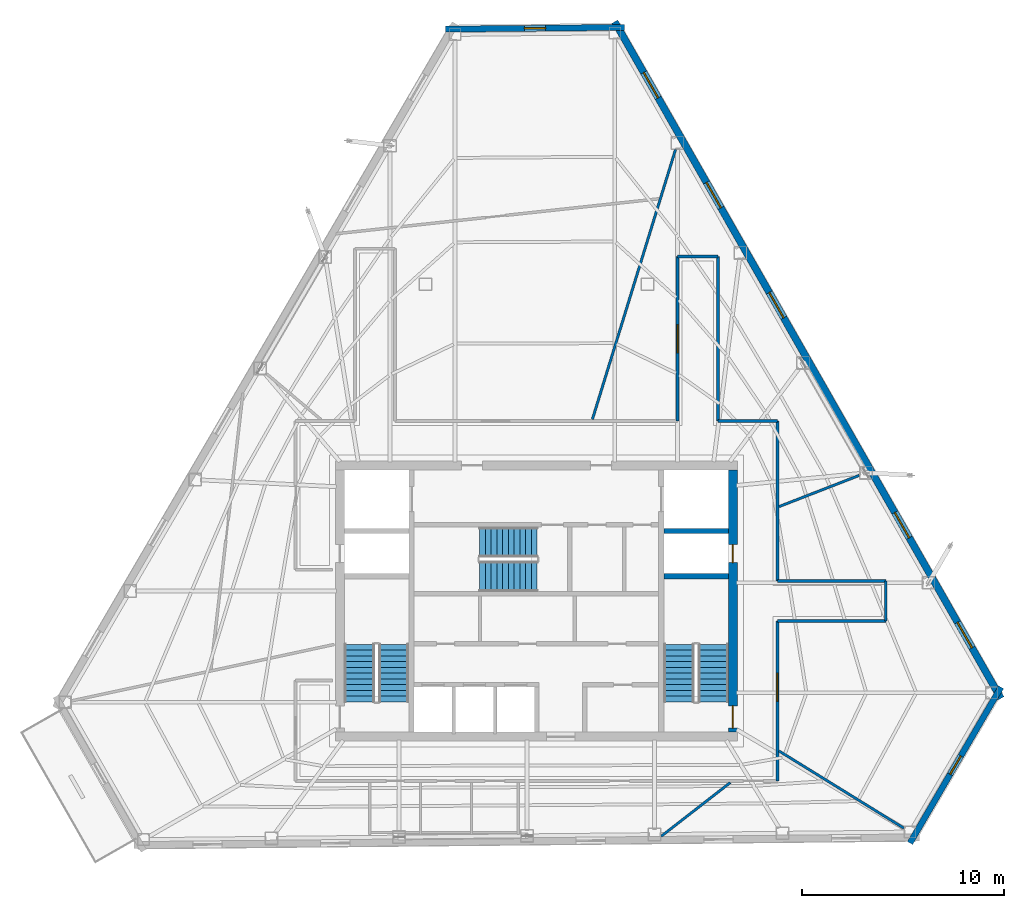
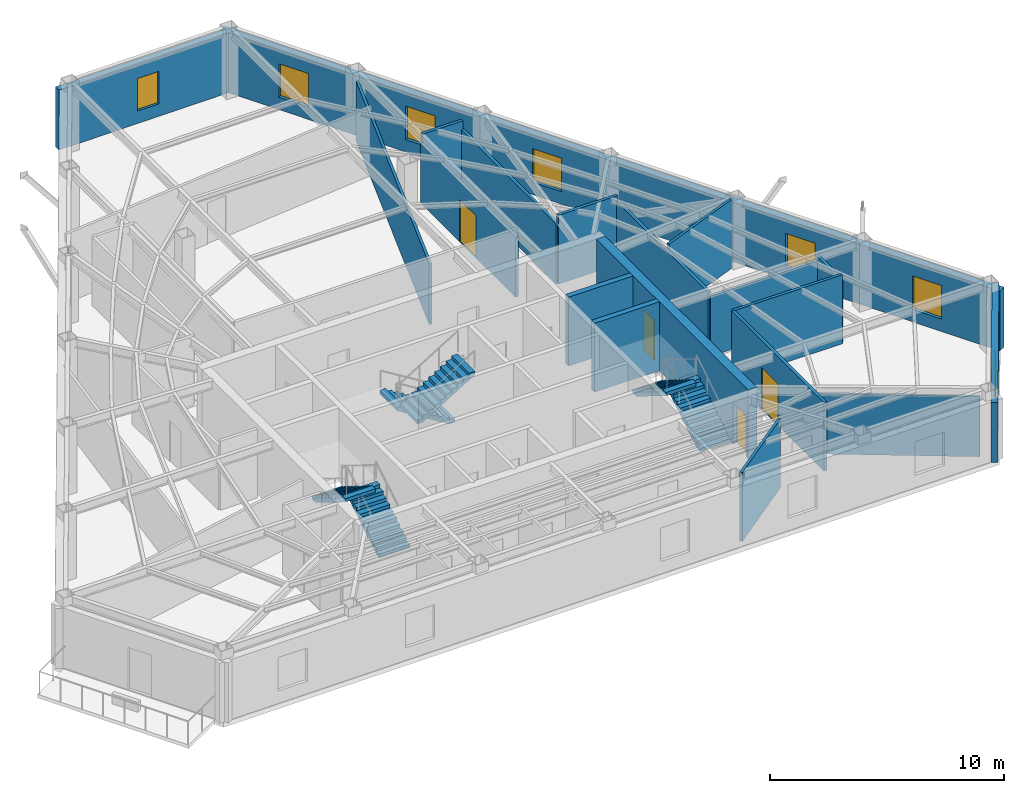
# One storey, part 9 of 11: 19 walls, 7 windows, 6 stair flights, 4 doors, 11 openings, 3 elements without a shape of their own.
"""IFC4 building model written with IfcOpenShell, lengths in metres."""

from ifc_helpers import new_model, si_unit, direction, frame, frame_2d, origin, place, context, subcontext, project, spatial, polyline, rectangle, outline, extrude, material, layer, layer_set, type_object, element, fill, aggregate, save


model = new_model("IFC4")

# Units and contexts
model_context = context("Model", 3, precision=1e-05, world=origin(), true_north=direction((0.0, 1.0)))
body_context = subcontext(model_context, "Body", "Model", "MODEL_VIEW")
ifc_project = project(units=[si_unit("LENGTHUNIT", "METRE"), si_unit("AREAUNIT", "SQUARE_METRE"), si_unit("VOLUMEUNIT", "CUBIC_METRE"), si_unit("PLANEANGLEUNIT", "RADIAN"), si_unit("MASSUNIT", "GRAM", prefix="KILO")], contexts=[model_context])

# Site, building, storey
site_placement = place(None, origin())
site = spatial("IfcSite", under=ifc_project, at=site_placement, CompositionType="ELEMENT")
building_placement = place(site_placement, origin())
building = spatial("IfcBuilding", under=site, at=building_placement, Name="Kavelnor Concourse Tower", CompositionType="ELEMENT")
storey_placement = place(building_placement, frame((0.0, 0.0, 218.89990234375)))
storey = spatial("IfcBuildingStorey", under=building, at=storey_placement, Name="L55", CompositionType="ELEMENT", Elevation=218.89990234375)

# Wall, openings, doors
ifc_material_1 = material(Name="Concrete C50/60", Category="concrete")
ifc_layer_1 = layer(ifc_material_1, 0.43994140625, Name="Concrete C50/60")
ifc_layer_set_1 = layer_set([ifc_layer_1], Name="Concrete C50/60")
wall_type_1 = type_object("IfcWallType", Name="WL-CORE-Z3-440", PredefinedType="SOLIDWALL", material=ifc_layer_set_1)
wall_1_placement = place(storey_placement, frame((47.739990234375, 9.60009765625, 0.0), z_axis=(0.0, 0.0, 1.0), x_axis=(0.0, 1.0, 0.0)))
wall_1 = element("IfcWall", 1, at=wall_1_placement, inside=storey, type_object=wall_type_1, Name="L55 Central Core East Shear Wall", PredefinedType="SOLIDWALL", context=body_context, shape_type="SweptSolid", body=[
    extrude(rectangle(XDim=13.0, YDim=0.43994140625, at=frame_2d((6.5, 0.0))), origin(), (0.0, 0.0, 1.0), 3.60009765625),
])
opening_1_placement = place(wall_1_placement, frame((0.199951171875, 0.0, 0.0)))
opening_1 = element("IfcOpeningElement", 2, at=opening_1_placement, cuts=wall_1, Name="Opening FD-110", PredefinedType="OPENING", context=body_context, shape_type="SweptSolid", body=[
    extrude(rectangle(XDim=1.10009765625, YDim=2.14990234375, at=frame_2d((0.550048828125, 1.074951171875))), frame((0.0, 0.22998046875, 0.0), z_axis=(0.0, -1.0, 0.0), x_axis=(1.0, 0.0, 0.0)), (0.0, 0.0, 1.0), 0.4599609375),
])
opening_2_placement = place(wall_1_placement, frame((8.39990234375, 0.0, 0.0)))
opening_2 = element("IfcOpeningElement", 3, at=opening_2_placement, cuts=wall_1, Name="Opening FD-090", PredefinedType="OPENING", context=body_context, shape_type="SweptSolid", body=[
    extrude(rectangle(XDim=0.89990234375, YDim=2.10009765625, at=frame_2d((0.449951171875, 1.050048828125))), frame((0.0, 0.22998046875, 0.0), z_axis=(0.0, -1.0, 0.0), x_axis=(1.0, 0.0, 0.0)), (0.0, 0.0, 1.0), 0.4599609375),
])
ifc_material_2 = material(Name="Steel Grade 350", Category="steel")
door_type_1 = type_object("IfcDoorType", Name="DR-RISER-FIRE-900", OperationType="NOTDEFINED", PredefinedType="DOOR", material=ifc_material_2)
door_1_placement = place(opening_2_placement, origin())
door_1 = element("IfcDoor", 4, at=door_1_placement, inside=storey, type_object=door_type_1, Name="L55 East Riser Access Door", OperationType="SINGLE_SWING_LEFT", OverallHeight=2.10009765625, OverallWidth=0.89990234375, PredefinedType="DOOR", context=body_context, shape_type="SweptSolid", body=[
    extrude(rectangle(XDim=0.89990234375, YDim=2.10009765625, at=frame_2d((0.449951171875, 1.050048828125))), frame((0.0, 0.02490234375, 0.0), z_axis=(0.0, -1.0, 0.0), x_axis=(1.0, 0.0, 0.0)), (0.0, 0.0, 1.0), 0.050048828125),
])
fill(opening_2, door_1)
door_type_2 = type_object("IfcDoorType", Name="DR-STAIR-FIRE-1100", OperationType="NOTDEFINED", PredefinedType="DOOR", material=ifc_material_2)
door_2_placement = place(opening_1_placement, origin())
door_2 = element("IfcDoor", 5, at=door_2_placement, inside=storey, type_object=door_type_2, Name="L55 Stair ST2 Fire Door", OperationType="SINGLE_SWING_RIGHT", OverallHeight=2.14990234375, OverallWidth=1.10009765625, PredefinedType="DOOR", context=body_context, shape_type="SweptSolid", body=[
    extrude(rectangle(XDim=1.10009765625, YDim=2.14990234375, at=frame_2d((0.550048828125, 1.074951171875))), frame((0.0, 0.02490234375, 0.0), z_axis=(0.0, -1.0, 0.0), x_axis=(1.0, 0.0, 0.0)), (0.0, 0.0, 1.0), 0.050048828125),
])
fill(opening_1, door_2)

# Wall, opening, window
ifc_material_3 = material(Name="Buff ironspot clay face brick masonry", Category="masonry")
ifc_layer_2 = layer(ifc_material_3, 0.300048828125, Name="Buff ironspot clay face brick masonry")
ifc_layer_set_2 = layer_set([ifc_layer_2], Name="Buff ironspot clay face brick masonry")
wall_type_2 = type_object("IfcWallType", Name="WL-EXT-BUFF-BRICK-FOLD-300", PredefinedType="STANDARD", material=ifc_layer_set_2)
wall_2_placement = place(storey_placement, frame((33.494873046875, 44.4462890625, 0.0), z_axis=(0.0, 0.0, 1.0), x_axis=(0.999951182853, 0.009880886148, 0.0)))
wall_2 = element("IfcWall", 6, at=wall_2_placement, inside=storey, type_object=wall_type_2, Name="L55 Exterior Brick Facade Wall E0", PredefinedType="STANDARD", context=body_context, shape_type="SweptSolid", body=[
    extrude(rectangle(XDim=8.870361328125, YDim=0.300048828125, at=frame_2d((4.43505859375, 0.0))), origin(), (0.0, 0.0, 1.0), 3.132080078125),
])
opening_3_placement = place(wall_2_placement, frame((3.91015625, 0.0, 0.64990234375)))
opening_3 = element("IfcOpeningElement", 7, at=opening_3_placement, cuts=wall_2, Name="Opening W-06", PredefinedType="OPENING", context=body_context, shape_type="SweptSolid", body=[
    extrude(rectangle(XDim=1.050048828125, YDim=1.699951171875, at=frame_2d((0.52490234375, 0.85009765625))), frame((0.0, 0.16015625, 0.0), z_axis=(0.0, -1.0, 0.0), x_axis=(1.0, 0.0, 0.0)), (0.0, 0.0, 1.0), 0.320068359375),
])
ifc_material_4 = material(Name="Double low-E argon insulated glazing", Category="glass")
window_type_1 = type_object("IfcWindowType", Name="WIN-FOLD-1050", PartitioningType="SINGLE_PANEL", PredefinedType="WINDOW", material=ifc_material_4)
window_1_placement = place(opening_3_placement, origin())
window_1 = element("IfcWindow", 8, at=window_1_placement, inside=storey, type_object=window_type_1, Name="L55 Chamfer-Fold Facet Window C0", OverallHeight=1.699951171875, OverallWidth=1.050048828125, PartitioningType="SINGLE_PANEL", PredefinedType="WINDOW", context=body_context, shape_type="SweptSolid", body=[
    extrude(rectangle(XDim=1.050048828125, YDim=1.699951171875, at=frame_2d((0.52490234375, 0.85009765625))), frame((0.0, 0.030029296875, 0.0), z_axis=(0.0, -1.0, 0.0), x_axis=(1.0, 0.0, 0.0)), (0.0, 0.0, 1.0), 0.06005859375),
])
fill(opening_3, window_1)

wall_3_placement = place(storey_placement, frame((61.0263671875, 11.827880859375, 0.0), z_axis=(0.0, 0.0, 1.0), x_axis=(-0.504220681264, -0.863574840176, 0.0)))
wall_3 = element("IfcWall", 9, at=wall_3_placement, inside=storey, type_object=wall_type_2, Name="L55 Exterior Brick Facade Wall E4", PredefinedType="STANDARD", context=body_context, shape_type="SweptSolid", body=[
    extrude(rectangle(XDim=8.942138671875, YDim=0.300048828125, at=frame_2d((4.47119140625, 0.0))), origin(), (0.0, 0.0, 1.0), 3.132080078125),
])
opening_4_placement = place(wall_3_placement, frame((3.946044921875, 0.0, 0.64990234375)))
opening_4 = element("IfcOpeningElement", 10, at=opening_4_placement, cuts=wall_3, Name="Opening W-06", PredefinedType="OPENING", context=body_context, shape_type="SweptSolid", body=[
    extrude(rectangle(XDim=1.050048828125, YDim=1.699951171875, at=frame_2d((0.52490234375, 0.85009765625))), frame((0.0, 0.16015625, 0.0), z_axis=(0.0, -1.0, 0.0), x_axis=(1.0, 0.0, 0.0)), (0.0, 0.0, 1.0), 0.320068359375),
])
window_2_placement = place(opening_4_placement, origin())
window_2 = element("IfcWindow", 11, at=window_2_placement, inside=storey, type_object=window_type_1, Name="L55 Chamfer-Fold Facet Window C2", OverallHeight=1.699951171875, OverallWidth=1.050048828125, PartitioningType="SINGLE_PANEL", PredefinedType="WINDOW", context=body_context, shape_type="SweptSolid", body=[
    extrude(rectangle(XDim=1.050048828125, YDim=1.699951171875, at=frame_2d((0.52490234375, 0.85009765625))), frame((0.0, 0.030029296875, 0.0), z_axis=(0.0, -1.0, 0.0), x_axis=(1.0, 0.0, 0.0)), (0.0, 0.0, 1.0), 0.06005859375),
])
fill(opening_4, window_2)

# Wall, openings, windows
ifc_material_5 = material(Name="Red-ochre clay face brick masonry", Category="masonry")
ifc_layer_3 = layer(ifc_material_5, 0.35009765625, Name="Red-ochre clay face brick masonry")
ifc_layer_set_3 = layer_set([ifc_layer_3], Name="Red-ochre clay face brick masonry")
wall_type_3 = type_object("IfcWallType", Name="WL-EXT-RED-BRICK-PIER-350", PredefinedType="STANDARD", material=ifc_layer_set_3)
wall_4_placement = place(storey_placement, frame((41.881103515625, 44.8115234375, 0.0), z_axis=(0.0, 0.0, 1.0), x_axis=(0.495686807291, -0.868501346618, 0.0)))
wall_4 = element("IfcWall", 12, at=wall_4_placement, inside=storey, type_object=wall_type_3, Name="L55 Exterior Brick Facade Wall E5", PredefinedType="STANDARD", context=body_context, shape_type="SweptSolid", body=[
    extrude(rectangle(XDim=38.618408203125, YDim=0.35009765625, at=frame_2d((19.30908203125, 0.0))), origin(), (0.0, 0.0, 1.0), 3.132080078125),
])
opening_5_placement = place(wall_4_placement, frame((34.27783203125, 0.0, 0.64990234375)))
opening_5 = element("IfcOpeningElement", 13, at=opening_5_placement, cuts=wall_4, Name="Opening W-03", PredefinedType="OPENING", context=body_context, shape_type="SweptSolid", body=[
    extrude(rectangle(XDim=1.449951171875, YDim=1.75, at=frame_2d((0.72509765625, 0.875))), frame((0.0, 0.18505859375, 0.0), z_axis=(0.0, -1.0, 0.0), x_axis=(1.0, 0.0, 0.0)), (0.0, 0.0, 1.0), 0.3701171875),
])
opening_6_placement = place(wall_4_placement, frame((28.00146484375, 0.0, 0.64990234375)))
opening_6 = element("IfcOpeningElement", 14, at=opening_6_placement, cuts=wall_4, Name="Opening W-03", PredefinedType="OPENING", context=body_context, shape_type="SweptSolid", body=[
    extrude(rectangle(XDim=1.449951171875, YDim=1.75, at=frame_2d((0.72509765625, 0.875))), frame((0.0, 0.18505859375, 0.0), z_axis=(0.0, -1.0, 0.0), x_axis=(1.0, 0.0, 0.0)), (0.0, 0.0, 1.0), 0.3701171875),
])
opening_7_placement = place(wall_4_placement, frame((15.4482421875, 0.0, 0.64990234375)))
opening_7 = element("IfcOpeningElement", 15, at=opening_7_placement, cuts=wall_4, Name="Opening W-03", PredefinedType="OPENING", context=body_context, shape_type="SweptSolid", body=[
    extrude(rectangle(XDim=1.449951171875, YDim=1.75, at=frame_2d((0.72509765625, 0.875))), frame((0.0, 0.18505859375, 0.0), z_axis=(0.0, -1.0, 0.0), x_axis=(1.0, 0.0, 0.0)), (0.0, 0.0, 1.0), 0.3701171875),
])
opening_8_placement = place(wall_4_placement, frame((9.171875, 0.0, 0.64990234375)))
opening_8 = element("IfcOpeningElement", 16, at=opening_8_placement, cuts=wall_4, Name="Opening W-03", PredefinedType="OPENING", context=body_context, shape_type="SweptSolid", body=[
    extrude(rectangle(XDim=1.449951171875, YDim=1.75, at=frame_2d((0.72509765625, 0.875))), frame((0.0, 0.18505859375, 0.0), z_axis=(0.0, -1.0, 0.0), x_axis=(1.0, 0.0, 0.0)), (0.0, 0.0, 1.0), 0.3701171875),
])
opening_9_placement = place(wall_4_placement, frame((2.895263671875, 0.0, 0.64990234375)))
opening_9 = element("IfcOpeningElement", 17, at=opening_9_placement, cuts=wall_4, Name="Opening W-03", PredefinedType="OPENING", context=body_context, shape_type="SweptSolid", body=[
    extrude(rectangle(XDim=1.449951171875, YDim=1.75, at=frame_2d((0.72509765625, 0.875))), frame((0.0, 0.18505859375, 0.0), z_axis=(0.0, -1.0, 0.0), x_axis=(1.0, 0.0, 0.0)), (0.0, 0.0, 1.0), 0.3701171875),
])
window_type_2 = type_object("IfcWindowType", Name="WIN-PIER-Z3-1500", PartitioningType="SINGLE_PANEL", PredefinedType="WINDOW", material=ifc_material_4)
window_3_placement = place(opening_5_placement, origin())
window_3 = element("IfcWindow", 18, at=window_3_placement, inside=storey, type_object=window_type_2, Name="L55 Deep-Set Brick Pier Window F2-B0", OverallHeight=1.75, OverallWidth=1.449951171875, PartitioningType="SINGLE_PANEL", PredefinedType="WINDOW", context=body_context, shape_type="SweptSolid", body=[
    extrude(rectangle(XDim=1.449951171875, YDim=1.75, at=frame_2d((0.72509765625, 0.875))), frame((0.0, 0.030029296875, 0.0), z_axis=(0.0, -1.0, 0.0), x_axis=(1.0, 0.0, 0.0)), (0.0, 0.0, 1.0), 0.06005859375),
])
fill(opening_5, window_3)
window_4_placement = place(opening_6_placement, origin())
window_4 = element("IfcWindow", 19, at=window_4_placement, inside=storey, type_object=window_type_2, Name="L55 Deep-Set Brick Pier Window F2-B1", OverallHeight=1.75, OverallWidth=1.449951171875, PartitioningType="SINGLE_PANEL", PredefinedType="WINDOW", context=body_context, shape_type="SweptSolid", body=[
    extrude(rectangle(XDim=1.449951171875, YDim=1.75, at=frame_2d((0.72509765625, 0.875))), frame((0.0, 0.030029296875, 0.0), z_axis=(0.0, -1.0, 0.0), x_axis=(1.0, 0.0, 0.0)), (0.0, 0.0, 1.0), 0.06005859375),
])
fill(opening_6, window_4)
window_5_placement = place(opening_7_placement, origin())
window_5 = element("IfcWindow", 20, at=window_5_placement, inside=storey, type_object=window_type_2, Name="L55 Deep-Set Brick Pier Window F2-B3", OverallHeight=1.75, OverallWidth=1.449951171875, PartitioningType="SINGLE_PANEL", PredefinedType="WINDOW", context=body_context, shape_type="SweptSolid", body=[
    extrude(rectangle(XDim=1.449951171875, YDim=1.75, at=frame_2d((0.72509765625, 0.875))), frame((0.0, 0.030029296875, 0.0), z_axis=(0.0, -1.0, 0.0), x_axis=(1.0, 0.0, 0.0)), (0.0, 0.0, 1.0), 0.06005859375),
])
fill(opening_7, window_5)
window_6_placement = place(opening_8_placement, origin())
window_6 = element("IfcWindow", 21, at=window_6_placement, inside=storey, type_object=window_type_2, Name="L55 Deep-Set Brick Pier Window F2-B4", OverallHeight=1.75, OverallWidth=1.449951171875, PartitioningType="SINGLE_PANEL", PredefinedType="WINDOW", context=body_context, shape_type="SweptSolid", body=[
    extrude(rectangle(XDim=1.449951171875, YDim=1.75, at=frame_2d((0.72509765625, 0.875))), frame((0.0, 0.030029296875, 0.0), z_axis=(0.0, -1.0, 0.0), x_axis=(1.0, 0.0, 0.0)), (0.0, 0.0, 1.0), 0.06005859375),
])
fill(opening_8, window_6)
window_7_placement = place(opening_9_placement, origin())
window_7 = element("IfcWindow", 22, at=window_7_placement, inside=storey, type_object=window_type_2, Name="L55 Deep-Set Brick Pier Window F2-B5", OverallHeight=1.75, OverallWidth=1.449951171875, PartitioningType="SINGLE_PANEL", PredefinedType="WINDOW", context=body_context, shape_type="SweptSolid", body=[
    extrude(rectangle(XDim=1.449951171875, YDim=1.75, at=frame_2d((0.72509765625, 0.875))), frame((0.0, 0.030029296875, 0.0), z_axis=(0.0, -1.0, 0.0), x_axis=(1.0, 0.0, 0.0)), (0.0, 0.0, 1.0), 0.06005859375),
])
fill(opening_9, window_7)

# Wall, opening, door
ifc_material_6 = material(Name="Gypsum plasterboard on light-gauge steel studs", Category="steel")
ifc_layer_4 = layer(ifc_material_6, 0.14501953125, Name="Gypsum plasterboard on light-gauge steel studs")
ifc_layer_set_4 = layer_set([ifc_layer_4], Name="Gypsum plasterboard on light-gauge steel studs")
wall_type_4 = type_object("IfcWallType", Name="WL-INT-CORR-145", PredefinedType="PARTITIONING", material=ifc_layer_set_4)
wall_5_placement = place(storey_placement, frame((45.0, 25.02001953125, 0.0), z_axis=(0.0, 0.0, 1.0), x_axis=(0.0, 1.0, 0.0)))
wall_5 = element("IfcWall", 23, at=wall_5_placement, inside=storey, type_object=wall_type_4, Name="L55 Corridor Wall WL-L55-CR-08", PredefinedType="PARTITIONING", context=body_context, shape_type="SweptSolid", body=[
    extrude(rectangle(XDim=8.153564453125, YDim=0.14501953125, at=frame_2d((4.07666015625, 0.0))), origin(), (0.0, 0.0, 1.0), 3.14111328125),
])
opening_10_placement = place(wall_5_placement, frame((3.376708984375, 0.0, 0.0)))
opening_10 = element("IfcOpeningElement", 24, at=opening_10_placement, cuts=wall_5, Name="Opening SD-140", PredefinedType="OPENING", context=body_context, shape_type="SweptSolid", body=[
    extrude(rectangle(XDim=1.39990234375, YDim=2.199951171875, at=frame_2d((0.699951171875, 1.10009765625))), frame((0.0, 0.08251953125, 0.0), z_axis=(0.0, -1.0, 0.0), x_axis=(1.0, 0.0, 0.0)), (0.0, 0.0, 1.0), 0.1650390625),
])
ifc_material_7 = material(Name="Solid-core hardwood timber", Category="wood")
door_type_3 = type_object("IfcDoorType", Name="DR-SUITE-ENTRY-1400", OperationType="NOTDEFINED", PredefinedType="DOOR", material=ifc_material_7)
door_3_placement = place(opening_10_placement, origin())
door_3 = element("IfcDoor", 25, at=door_3_placement, inside=storey, type_object=door_type_3, Name="L55 Tenant Bookstore Retail Shop 01 Door", OperationType="SINGLE_SWING_LEFT", OverallHeight=2.199951171875, OverallWidth=1.39990234375, PredefinedType="DOOR", context=body_context, shape_type="SweptSolid", body=[
    extrude(rectangle(XDim=1.39990234375, YDim=2.199951171875, at=frame_2d((0.699951171875, 1.10009765625))), frame((0.0, 0.02490234375, 0.0), z_axis=(0.0, -1.0, 0.0), x_axis=(1.0, 0.0, 0.0)), (0.0, 0.0, 1.0), 0.050048828125),
])
fill(opening_10, door_3)

# Walls
wall_6_placement = place(storey_placement, frame((45.0, 33.173583984375, 0.0), z_axis=(0.0, 0.0, 1.0), x_axis=(1.0, 0.0, 0.0)))
element("IfcWall", 26, at=wall_6_placement, inside=storey, type_object=wall_type_4, Name="L55 Corridor Wall WL-L55-CR-09", PredefinedType="PARTITIONING", context=body_context, shape_type="SweptSolid", body=[
    extrude(rectangle(XDim=2.0, YDim=0.14501953125, at=frame_2d((1.0, 0.0))), origin(), (0.0, 0.0, 1.0), 3.60009765625),
])
wall_7_placement = place(storey_placement, frame((47.0, 33.173583984375, 0.0), z_axis=(0.0, 0.0, 1.0), x_axis=(0.0, -1.0, 0.0)))
element("IfcWall", 27, at=wall_7_placement, inside=storey, type_object=wall_type_4, Name="L55 Corridor Wall WL-L55-CR-10", PredefinedType="PARTITIONING", context=body_context, shape_type="SweptSolid", body=[
    extrude(rectangle(XDim=8.153564453125, YDim=0.14501953125, at=frame_2d((4.07666015625, 0.0))), origin(), (0.0, 0.0, 1.0), 3.14111328125),
])
wall_8_placement = place(storey_placement, frame((47.0, 25.02001953125, 0.0), z_axis=(0.0, 0.0, 1.0), x_axis=(1.0, 0.0, 0.0)))
element("IfcWall", 28, at=wall_8_placement, inside=storey, type_object=wall_type_4, Name="L55 Corridor Wall WL-L55-CR-11", PredefinedType="PARTITIONING", context=body_context, shape_type="SweptSolid", body=[
    extrude(rectangle(XDim=2.93994140625, YDim=0.14501953125, at=frame_2d((1.469970703125, 0.0))), origin(), (0.0, 0.0, 1.0), 3.60009765625),
])
wall_9_placement = place(storey_placement, frame((49.93994140625, 25.02001953125, 0.0), z_axis=(0.0, 0.0, 1.0), x_axis=(0.0, -1.0, 0.0)))
element("IfcWall", 29, at=wall_9_placement, inside=storey, type_object=wall_type_4, Name="L55 Corridor Wall WL-L55-CR-12", PredefinedType="PARTITIONING", context=body_context, shape_type="SweptSolid", body=[
    extrude(rectangle(XDim=7.919921875, YDim=0.14501953125, at=frame_2d((3.9599609375, 0.0))), origin(), (0.0, 0.0, 1.0), 3.339111328125),
])
wall_10_placement = place(storey_placement, frame((49.93994140625, 17.10009765625, 0.0), z_axis=(0.0, 0.0, 1.0), x_axis=(1.0, 0.0, 0.0)))
element("IfcWall", 30, at=wall_10_placement, inside=storey, type_object=wall_type_4, Name="L55 Corridor Wall WL-L55-CR-13", PredefinedType="PARTITIONING", context=body_context, shape_type="SweptSolid", body=[
    extrude(rectangle(XDim=5.375244140625, YDim=0.14501953125, at=frame_2d((2.6875, 0.0))), origin(), (0.0, 0.0, 1.0), 3.14111328125),
])
wall_11_placement = place(storey_placement, frame((55.315185546875, 17.10009765625, 0.0), z_axis=(0.0, 0.0, 1.0), x_axis=(0.0, -1.0, 0.0)))
element("IfcWall", 31, at=wall_11_placement, inside=storey, type_object=wall_type_4, Name="L55 Corridor Wall WL-L55-CR-14", PredefinedType="PARTITIONING", context=body_context, shape_type="SweptSolid", body=[
    extrude(rectangle(XDim=2.0, YDim=0.14501953125, at=frame_2d((1.0, 0.0))), origin(), (0.0, 0.0, 1.0), 3.339111328125),
])
wall_12_placement = place(storey_placement, frame((55.315185546875, 15.10009765625, 0.0), z_axis=(0.0, 0.0, 1.0), x_axis=(-1.0, 0.0, 0.0)))
element("IfcWall", 32, at=wall_12_placement, inside=storey, type_object=wall_type_4, Name="L55 Corridor Wall WL-L55-CR-15", PredefinedType="PARTITIONING", context=body_context, shape_type="SweptSolid", body=[
    extrude(rectangle(XDim=5.375244140625, YDim=0.14501953125, at=frame_2d((2.6875, 0.0))), origin(), (0.0, 0.0, 1.0), 3.60009765625),
])

# Wall, opening, door
wall_13_placement = place(storey_placement, frame((49.93994140625, 15.10009765625, 0.0), z_axis=(0.0, 0.0, 1.0), x_axis=(0.0, -1.0, 0.0)))
wall_13 = element("IfcWall", 33, at=wall_13_placement, inside=storey, type_object=wall_type_4, Name="L55 Corridor Wall WL-L55-CR-16", PredefinedType="PARTITIONING", context=body_context, shape_type="SweptSolid", body=[
    extrude(rectangle(XDim=7.920166015625, YDim=0.14501953125, at=frame_2d((3.9599609375, 0.0))), origin(), (0.0, 0.0, 1.0), 3.60009765625),
])
opening_11_placement = place(wall_13_placement, frame((2.58056640625, 0.0, 0.0)))
opening_11 = element("IfcOpeningElement", 34, at=opening_11_placement, cuts=wall_13, Name="Opening SD-140", PredefinedType="OPENING", context=body_context, shape_type="SweptSolid", body=[
    extrude(rectangle(XDim=1.39990234375, YDim=2.199951171875, at=frame_2d((0.699951171875, 1.10009765625))), frame((0.0, 0.08251953125, 0.0), z_axis=(0.0, -1.0, 0.0), x_axis=(1.0, 0.0, 0.0)), (0.0, 0.0, 1.0), 0.1650390625),
])
door_4_placement = place(opening_11_placement, origin())
door_4 = element("IfcDoor", 35, at=door_4_placement, inside=storey, type_object=door_type_3, Name="L55 Tenant Bookstore Retail Shop 09 Door", OperationType="SINGLE_SWING_LEFT", OverallHeight=2.199951171875, OverallWidth=1.39990234375, PredefinedType="DOOR", context=body_context, shape_type="SweptSolid", body=[
    extrude(rectangle(XDim=1.39990234375, YDim=2.199951171875, at=frame_2d((0.699951171875, 1.10009765625))), frame((0.0, 0.02490234375, 0.0), z_axis=(0.0, -1.0, 0.0), x_axis=(1.0, 0.0, 0.0)), (0.0, 0.0, 1.0), 0.050048828125),
])
fill(opening_11, door_4)

# Walls
ifc_layer_5 = layer(ifc_material_6, 0.125, Name="Gypsum plasterboard on light-gauge steel studs")
ifc_layer_set_5 = layer_set([ifc_layer_5], Name="Gypsum plasterboard on light-gauge steel studs")
wall_type_5 = type_object("IfcWallType", Name="WL-INT-SUITE-125", PredefinedType="PARTITIONING", material=ifc_layer_set_5)
wall_14_placement = place(storey_placement, frame((50.0205078125, 20.77734375, 0.0), z_axis=(0.0, 0.0, 1.0), x_axis=(0.931934949803, 0.362625494601, 0.0)))
element("IfcWall", 36, at=wall_14_placement, inside=storey, type_object=wall_type_5, Name="L55 Radial Suite Partition 01", PredefinedType="PARTITIONING", context=body_context, shape_type="SweptSolid", body=[
    extrude(rectangle(XDim=4.2724609375, YDim=0.125, at=frame_2d((2.13623046875, 0.0))), origin(), (0.0, 0.0, 1.0), 3.60009765625),
])
wall_15_placement = place(storey_placement, frame((40.773193359375, 25.1005859375, 0.0), z_axis=(0.0, 0.0, 1.0), x_axis=(0.294449774593, 0.955666955713, 0.0)))
element("IfcWall", 37, at=wall_15_placement, inside=storey, type_object=wall_type_5, Name="L55 Radial Suite Partition 02", PredefinedType="PARTITIONING", context=body_context, shape_type="SweptSolid", body=[
    extrude(rectangle(XDim=14.0, YDim=0.125, at=frame_2d((7.0, 0.0))), origin(), (0.0, 0.0, 1.0), 3.14111328125),
])
wall_16_placement = place(storey_placement, frame((50.0205078125, 8.669189453125, 0.0), z_axis=(0.0, 0.0, 1.0), x_axis=(0.850592933727, -0.525824743706, 0.0)))
element("IfcWall", 38, at=wall_16_placement, inside=storey, type_object=wall_type_5, Name="L55 Radial Suite Partition 05", PredefinedType="PARTITIONING", context=body_context, shape_type="SweptSolid", body=[
    extrude(rectangle(XDim=7.281982421875, YDim=0.125, at=frame_2d((3.64111328125, 0.0))), origin(), (0.0, 0.0, 1.0), 3.14111328125),
])
wall_17_placement = place(storey_placement, frame((44.186279296875, 4.439697265625, 0.0), z_axis=(0.0, 0.0, 1.0), x_axis=(0.789546292068, 0.613691007496, 0.0)))
element("IfcWall", 39, at=wall_17_placement, inside=storey, type_object=wall_type_5, Name="L55 Suite Subdivision Partition 05", PredefinedType="PARTITIONING", context=body_context, shape_type="SweptSolid", body=[
    extrude(rectangle(XDim=4.334228515625, YDim=0.125, at=frame_2d((2.1669921875, 0.0))), origin(), (0.0, 0.0, 1.0), 3.60009765625),
])
ifc_layer_6 = layer(ifc_material_1, 0.260009765625, Name="Concrete C50/60")
ifc_layer_set_6 = layer_set([ifc_layer_6], Name="Concrete C50/60")
wall_type_6 = type_object("IfcWallType", Name="WL-SHAFT-260", PredefinedType="SHEAR", material=ifc_layer_set_6)
for number, where, z_axis, x_axis, name in (
    (40, (44.320068359375, 17.330078125, 0.0), (0.0, 0.0, 1.0), (1.0, 0.0, 0.0), "L55 Stair ST2 North Shaft Wall"),
    (41, (44.320068359375, 19.570068359375, 0.0), (0.0, 0.0, 1.0), (1.0, 0.0, 0.0), "L55 Emergency Lift FL2 South Shaft Wall"),
):
    element("IfcWall", number, at=place(storey_placement, frame(where, z_axis=z_axis, x_axis=x_axis)), inside=storey, type_object=wall_type_6, Name=name, PredefinedType="SHEAR", context=body_context, shape_type="SweptSolid", body=[
        extrude(rectangle(XDim=3.199951171875, YDim=0.260009765625, at=frame_2d((1.60009765625, 0.0))), origin(), (0.0, 0.0, 1.0), 3.60009765625),
    ])

# Stair, stair flights
ifc_material_8 = material(Name="Concrete C40/50", Category="concrete")
stair_type = type_object("IfcStairType", Name="STR-CORE-1500", PredefinedType="HALF_TURN_STAIR", material=ifc_material_8)
stair_1_placement = place(storey_placement, origin())
stair_1 = element("IfcStair", 42, at=stair_1_placement, inside=storey, type_object=stair_type, Name="L55 ST1", PredefinedType="HALF_TURN_STAIR")
stair_flight_type = type_object("IfcStairFlightType", Name="STR-FLIGHT-1500", PredefinedType="STRAIGHT", material=ifc_material_8)
stair_flight_1_placement = place(storey_placement, frame((30.929931640625, 11.10009765625, 0.0), z_axis=(0.0, 0.0, 1.0), x_axis=(0.0, 1.0, 0.0)))
stair_flight_1 = element("IfcStairFlight", 43, at=stair_flight_1_placement, type_object=stair_flight_type, Name="ST1 flight 1", NumberOfRisers=11, NumberOfTreads=10, PredefinedType="STRAIGHT", RiserHeight=0.175, TreadLength=0.285, context=body_context, shape_type="SweptSolid", body=[
    extrude(outline(polyline([(0.0, 0.0), (0.0, 0.175048828125), (0.284912109375, 0.175048828125), (0.284912109375, 0.35009765625), (0.570068359375, 0.35009765625), (0.570068359375, 0.52490234375), (0.85498046875, 0.52490234375), (0.85498046875, 0.699951171875), (1.139892578125, 0.699951171875), (1.139892578125, 0.875), (1.425048828125, 0.875), (1.425048828125, 1.050048828125), (1.7099609375, 1.050048828125), (1.7099609375, 1.22509765625), (1.9951171875, 1.22509765625), (1.9951171875, 1.39990234375), (2.280029296875, 1.39990234375), (2.280029296875, 1.574951171875), (2.56494140625, 1.574951171875), (2.56494140625, 1.75), (2.85009765625, 1.75), (2.85009765625, 1.925048828125), (2.85009765625, 1.573974609375), (0.286376953125, 0.0), (0.0, 0.0)])), frame((0.0, 0.75, 0.0), z_axis=(0.0, -1.0, 0.0), x_axis=(1.0, 0.0, 0.0)), (0.0, 0.0, 1.0), 1.5),
])
stair_flight_2_placement = place(storey_placement, frame((29.22998046875, 13.949951171875, 1.925048828125), z_axis=(0.0, 0.0, 1.0), x_axis=(0.0, -1.0, 0.0)))
stair_flight_2 = element("IfcStairFlight", 44, at=stair_flight_2_placement, type_object=stair_flight_type, Name="ST1 flight 2", NumberOfRisers=11, NumberOfTreads=10, PredefinedType="STRAIGHT", RiserHeight=0.175, TreadLength=0.285, context=body_context, shape_type="SweptSolid", body=[
    extrude(outline(polyline([(0.0, 0.0), (0.0, 0.175048828125), (0.284912109375, 0.175048828125), (0.284912109375, 0.35009765625), (0.570068359375, 0.35009765625), (0.570068359375, 0.52490234375), (0.85498046875, 0.52490234375), (0.85498046875, 0.699951171875), (1.139892578125, 0.699951171875), (1.139892578125, 0.875), (1.425048828125, 0.875), (1.425048828125, 1.050048828125), (1.7099609375, 1.050048828125), (1.7099609375, 1.22509765625), (1.9951171875, 1.22509765625), (1.9951171875, 1.39990234375), (2.280029296875, 1.39990234375), (2.280029296875, 1.574951171875), (2.56494140625, 1.574951171875), (2.56494140625, 1.75), (2.85009765625, 1.75), (2.85009765625, 1.925048828125), (2.85009765625, 1.573974609375), (0.286376953125, 0.0), (0.0, 0.0)])), frame((0.0, 0.75, 0.0), z_axis=(0.0, -1.0, 0.0), x_axis=(1.0, 0.0, 0.0)), (0.0, 0.0, 1.0), 1.5),
])
aggregate(stair_1, [stair_flight_1, stair_flight_2])

stair_2_placement = place(storey_placement, origin())
stair_2 = element("IfcStair", 45, at=stair_2_placement, inside=storey, type_object=stair_type, Name="L55 ST2", PredefinedType="HALF_TURN_STAIR")
stair_flight_3_placement = place(storey_placement, frame((46.77001953125, 11.10009765625, 0.0), z_axis=(0.0, 0.0, 1.0), x_axis=(0.0, 1.0, 0.0)))
stair_flight_3 = element("IfcStairFlight", 46, at=stair_flight_3_placement, type_object=stair_flight_type, Name="ST2 flight 1", NumberOfRisers=11, NumberOfTreads=10, PredefinedType="STRAIGHT", RiserHeight=0.175, TreadLength=0.285, context=body_context, shape_type="SweptSolid", body=[
    extrude(outline(polyline([(0.0, 0.0), (0.0, 0.175048828125), (0.284912109375, 0.175048828125), (0.284912109375, 0.35009765625), (0.570068359375, 0.35009765625), (0.570068359375, 0.52490234375), (0.85498046875, 0.52490234375), (0.85498046875, 0.699951171875), (1.139892578125, 0.699951171875), (1.139892578125, 0.875), (1.425048828125, 0.875), (1.425048828125, 1.050048828125), (1.7099609375, 1.050048828125), (1.7099609375, 1.22509765625), (1.9951171875, 1.22509765625), (1.9951171875, 1.39990234375), (2.280029296875, 1.39990234375), (2.280029296875, 1.574951171875), (2.56494140625, 1.574951171875), (2.56494140625, 1.75), (2.85009765625, 1.75), (2.85009765625, 1.925048828125), (2.85009765625, 1.573974609375), (0.286376953125, 0.0), (0.0, 0.0)])), frame((0.0, 0.75, 0.0), z_axis=(0.0, -1.0, 0.0), x_axis=(1.0, 0.0, 0.0)), (0.0, 0.0, 1.0), 1.5),
])
stair_flight_4_placement = place(storey_placement, frame((45.070068359375, 13.949951171875, 1.925048828125), z_axis=(0.0, 0.0, 1.0), x_axis=(0.0, -1.0, 0.0)))
stair_flight_4 = element("IfcStairFlight", 47, at=stair_flight_4_placement, type_object=stair_flight_type, Name="ST2 flight 2", NumberOfRisers=11, NumberOfTreads=10, PredefinedType="STRAIGHT", RiserHeight=0.175, TreadLength=0.285, context=body_context, shape_type="SweptSolid", body=[
    extrude(outline(polyline([(0.0, 0.0), (0.0, 0.175048828125), (0.284912109375, 0.175048828125), (0.284912109375, 0.35009765625), (0.570068359375, 0.35009765625), (0.570068359375, 0.52490234375), (0.85498046875, 0.52490234375), (0.85498046875, 0.699951171875), (1.139892578125, 0.699951171875), (1.139892578125, 0.875), (1.425048828125, 0.875), (1.425048828125, 1.050048828125), (1.7099609375, 1.050048828125), (1.7099609375, 1.22509765625), (1.9951171875, 1.22509765625), (1.9951171875, 1.39990234375), (2.280029296875, 1.39990234375), (2.280029296875, 1.574951171875), (2.56494140625, 1.574951171875), (2.56494140625, 1.75), (2.85009765625, 1.75), (2.85009765625, 1.925048828125), (2.85009765625, 1.573974609375), (0.286376953125, 0.0), (0.0, 0.0)])), frame((0.0, 0.75, 0.0), z_axis=(0.0, -1.0, 0.0), x_axis=(1.0, 0.0, 0.0)), (0.0, 0.0, 1.0), 1.5),
])
aggregate(stair_2, [stair_flight_3, stair_flight_4])

stair_3_placement = place(storey_placement, origin())
stair_3 = element("IfcStair", 48, at=stair_3_placement, inside=storey, type_object=stair_type, Name="L55 ST3", PredefinedType="HALF_TURN_STAIR")
stair_flight_5_placement = place(storey_placement, frame((38.0400390625, 19.010009765625, 0.0), z_axis=(0.0, 0.0, 1.0), x_axis=(-1.0, 0.0, 0.0)))
stair_flight_5 = element("IfcStairFlight", 49, at=stair_flight_5_placement, type_object=stair_flight_type, Name="ST3 flight 1", NumberOfRisers=11, NumberOfTreads=10, PredefinedType="STRAIGHT", RiserHeight=0.175, TreadLength=0.285, context=body_context, shape_type="SweptSolid", body=[
    extrude(outline(polyline([(0.0, 0.0), (0.0, 0.175048828125), (0.284912109375, 0.175048828125), (0.284912109375, 0.35009765625), (0.570068359375, 0.35009765625), (0.570068359375, 0.52490234375), (0.85498046875, 0.52490234375), (0.85498046875, 0.699951171875), (1.139892578125, 0.699951171875), (1.139892578125, 0.875), (1.425048828125, 0.875), (1.425048828125, 1.050048828125), (1.7099609375, 1.050048828125), (1.7099609375, 1.22509765625), (1.9951171875, 1.22509765625), (1.9951171875, 1.39990234375), (2.280029296875, 1.39990234375), (2.280029296875, 1.574951171875), (2.56494140625, 1.574951171875), (2.56494140625, 1.75), (2.85009765625, 1.75), (2.85009765625, 1.925048828125), (2.85009765625, 1.573974609375), (0.286376953125, 0.0), (0.0, 0.0)])), frame((0.0, 0.75, 0.0), z_axis=(0.0, -1.0, 0.0), x_axis=(1.0, 0.0, 0.0)), (0.0, 0.0, 1.0), 1.5),
])
stair_flight_6_placement = place(storey_placement, frame((35.18994140625, 17.31005859375, 1.925048828125), z_axis=(0.0, 0.0, 1.0), x_axis=(1.0, 0.0, 0.0)))
stair_flight_6 = element("IfcStairFlight", 50, at=stair_flight_6_placement, type_object=stair_flight_type, Name="ST3 flight 2", NumberOfRisers=11, NumberOfTreads=10, PredefinedType="STRAIGHT", RiserHeight=0.175, TreadLength=0.285, context=body_context, shape_type="SweptSolid", body=[
    extrude(outline(polyline([(0.0, 0.0), (0.0, 0.175048828125), (0.284912109375, 0.175048828125), (0.284912109375, 0.35009765625), (0.570068359375, 0.35009765625), (0.570068359375, 0.52490234375), (0.85498046875, 0.52490234375), (0.85498046875, 0.699951171875), (1.139892578125, 0.699951171875), (1.139892578125, 0.875), (1.425048828125, 0.875), (1.425048828125, 1.050048828125), (1.7099609375, 1.050048828125), (1.7099609375, 1.22509765625), (1.9951171875, 1.22509765625), (1.9951171875, 1.39990234375), (2.280029296875, 1.39990234375), (2.280029296875, 1.574951171875), (2.56494140625, 1.574951171875), (2.56494140625, 1.75), (2.85009765625, 1.75), (2.85009765625, 1.925048828125), (2.85009765625, 1.573974609375), (0.286376953125, 0.0), (0.0, 0.0)])), frame((0.0, 0.75, 0.0), z_axis=(0.0, -1.0, 0.0), x_axis=(1.0, 0.0, 0.0)), (0.0, 0.0, 1.0), 1.5),
])
aggregate(stair_3, [stair_flight_5, stair_flight_6])

save(model, "model.ifc")
